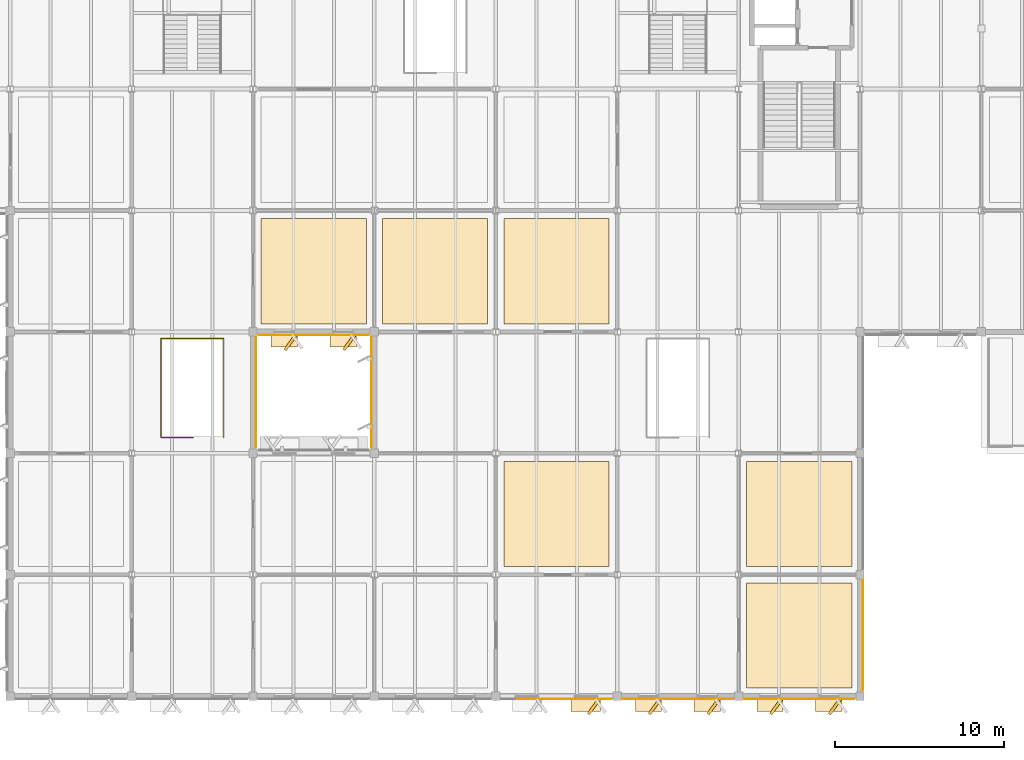
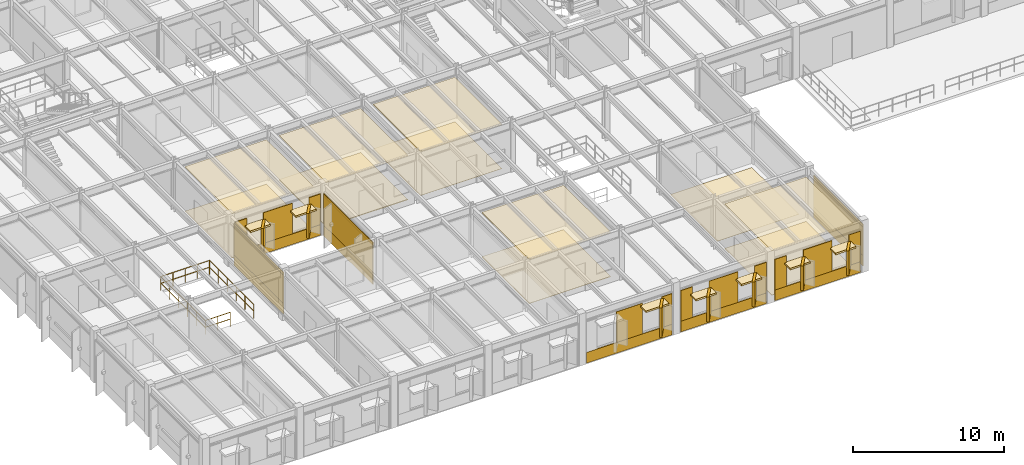
# One storey, part 75 of 85: 49 coverings, 1 railing.
"""IFC4 building model written with IfcOpenShell, lengths in metres."""

import ifcopenshell
import ifcopenshell.guid

model = None  # the IFC model being written
_history = None  # IfcOwnerHistory: only IFC2X3 demands one
_inside = {}  # id of a spatial element -> (the spatial element, [elements in it])
_under = {}  # id of a project, library or spatial element -> (it, [spatial elements below it])
_declared = {}  # id of a project -> (the project, [libraries it declares])
_typed = {}  # id of a type object -> (the type object, [elements of that type])
_made_of = {}  # id of a material, layer set ... -> (it, [elements and type objects made of it])


def new_model(schema):
    """Start an empty IFC model of exactly this schema.

    Asked for "IFC4X3", IfcOpenShell would pick the latest addendum, in which some entities
    have other attributes; the version numbers below select the first issue.
    IFC2X3 requires an IfcOwnerHistory on every rooted entity: one is made here for all.
    """
    global model, _history
    if schema == "IFC4X3":
        model = ifcopenshell.file(schema_version=(4, 3, 0, 0))
    else:
        model = ifcopenshell.file(schema=schema)
    _inside.clear()
    _under.clear()
    _declared.clear()
    _typed.clear()
    _made_of.clear()
    _history = None
    if model.schema == "IFC2X3":
        org = make("IfcOrganization", Name="unknown")
        user = make(
            "IfcPersonAndOrganization",
            ThePerson=make("IfcPerson", FamilyName="unknown"),
            TheOrganization=org,
        )
        app = make(
            "IfcApplication",
            ApplicationDeveloper=org,
            Version="unknown",
            ApplicationFullName="unknown",
            ApplicationIdentifier="unknown",
        )
        _history = make(
            "IfcOwnerHistory",
            OwningUser=user,
            OwningApplication=app,
            ChangeAction="ADDED",
            CreationDate=0,
        )
    return model


def make(cls, **values):
    """One entity of the class cls with the attributes given. An attribute that is None is left unset."""
    return model.create_entity(
        cls, **{name: value for name, value in values.items() if value is not None}
    )


def rooted(cls, **values):
    """An entity with a GlobalId (a new one), such as an element, a storey or a relation."""
    return make(cls, GlobalId=ifcopenshell.guid.new(), OwnerHistory=_history, **values)


def si_unit(unit_type, name, prefix=None):
    """IfcSIUnit, for example si_unit("LENGTHUNIT", "METRE", prefix="MILLI")."""
    return make("IfcSIUnit", UnitType=unit_type, Prefix=prefix, Name=name)


def assignment(units):
    """IfcUnitAssignment: the units of a project."""
    return None if units is None else make("IfcUnitAssignment", Units=units)


def point(xyz):
    """IfcCartesianPoint."""
    return None if xyz is None else make("IfcCartesianPoint", Coordinates=xyz)


def direction(xyz):
    """IfcDirection."""
    return None if xyz is None else make("IfcDirection", DirectionRatios=xyz)


def frame(location, z_axis=None, x_axis=None):
    """IfcAxis2Placement3D, a coordinate frame: its origin and axes. An axis left out is left unset."""
    return make(
        "IfcAxis2Placement3D",
        Location=point(location),
        Axis=direction(z_axis),
        RefDirection=direction(x_axis),
    )


def frame_2d(location, x_axis=None):
    """IfcAxis2Placement2D, a coordinate frame in the plane: its origin and x axis."""
    return make(
        "IfcAxis2Placement2D", Location=point(location), RefDirection=direction(x_axis)
    )


def origin():
    """The frame at (0, 0, 0) with its axes left unset."""
    return frame((0.0, 0.0, 0.0))


def origin_2d():
    """The frame at (0, 0) in the plane with its x axis left unset."""
    return frame_2d((0.0, 0.0))


def place(relative_to, where):
    """IfcLocalPlacement: puts the frame where relative to a parent placement (None: the world)."""
    return make(
        "IfcLocalPlacement", PlacementRelTo=relative_to, RelativePlacement=where
    )


def context(
    kind, dimensions, precision=None, world=None, true_north=None, identifier=None
):
    """IfcGeometricRepresentationContext, for example the 3D "Model" context."""
    return make(
        "IfcGeometricRepresentationContext",
        ContextIdentifier=identifier,
        ContextType=kind,
        CoordinateSpaceDimension=dimensions,
        Precision=precision,
        WorldCoordinateSystem=world,
        TrueNorth=true_north,
    )


def subcontext(parent, identifier, kind, view, scale=None):
    """IfcGeometricRepresentationSubContext, for example "Body" below "Model"."""
    return make(
        "IfcGeometricRepresentationSubContext",
        ContextIdentifier=identifier,
        ContextType=kind,
        ParentContext=parent,
        TargetScale=scale,
        TargetView=view,
    )


def project(units=None, contexts=None):
    """IfcProject with its units and contexts."""
    return rooted(
        "IfcProject",
        Name="project",
        RepresentationContexts=contexts,
        UnitsInContext=assignment(units),
    )


def spatial(cls, under=None, at=None, **own):
    """A site, building, storey or space (cls), placed at a placement, below another one or the project."""
    s = rooted(cls, ObjectPlacement=at, **own)
    if under is not None:
        _under.setdefault(under.id(), (under, []))[1].append(s)
    return s


def polyline(points):
    """IfcPolyline through the points."""
    return make("IfcPolyline", Points=[point(p) for p in points])


def profile(cls, at=None, kind="AREA", **sizes):
    """A parametric profile (cls). Its sizes go by their IFC names, for example OverallWidth=200.0."""
    return make(cls, ProfileType=kind, Position=at, **sizes)


def rectangle(**sizes):
    """IfcRectangleProfileDef."""
    return profile("IfcRectangleProfileDef", **sizes)


def circle(**sizes):
    """IfcCircleProfileDef."""
    return profile("IfcCircleProfileDef", **sizes)


def outline(outer, holes=None, kind="AREA"):
    """IfcArbitraryClosedProfileDef: a profile drawn as a closed curve; with holes, ...WithVoids."""
    if holes is None:
        return make("IfcArbitraryClosedProfileDef", ProfileType=kind, OuterCurve=outer)
    return make(
        "IfcArbitraryProfileDefWithVoids",
        ProfileType=kind,
        OuterCurve=outer,
        InnerCurves=holes,
    )


def extrude(swept, where, along, depth):
    """IfcExtrudedAreaSolid: the profile swept, set in the frame where, extruded along a direction by depth."""
    return make(
        "IfcExtrudedAreaSolid",
        SweptArea=swept,
        Position=where,
        ExtrudedDirection=direction(along),
        Depth=depth,
    )


def shape(context_of_items, identifier, shape_type, items):
    """IfcShapeRepresentation: the items that make up one representation, for example the "Body"."""
    return make(
        "IfcShapeRepresentation",
        ContextOfItems=context_of_items,
        RepresentationIdentifier=identifier,
        RepresentationType=shape_type,
        Items=items,
    )


def material(Name=None, Category=None):
    """IfcMaterial."""
    return make("IfcMaterial", Name=Name, Category=Category)


def layer(
    of_material, thickness, ventilated=None, Name=None, Category=None, Priority=None
):
    """IfcMaterialLayer: one layer of a wall or slab, of a material (None: an air gap)."""
    return make(
        "IfcMaterialLayer",
        Material=of_material,
        LayerThickness=thickness,
        IsVentilated=ventilated,
        Name=Name,
        Category=Category,
        Priority=Priority,
    )


def layer_set(layers, Name=None):
    """IfcMaterialLayerSet."""
    return make("IfcMaterialLayerSet", MaterialLayers=layers, LayerSetName=Name)


def made_of(thing, what):
    """Note that an element or type object is made of a material, layer set ...; save() writes the relation."""
    if what is not None:
        _made_of.setdefault(what.id(), (what, []))[1].append(thing)
    return thing


def type_object(cls, material=None, **own):
    """A type object (cls), such as IfcWallType, which elements share."""
    return made_of(rooted(cls, **own), material)


def element(
    cls,
    number,
    at=None,
    inside=None,
    cuts=None,
    type_object=None,
    material=None,
    context=None,
    identifier="Body",
    shape_type=None,
    held_by="IfcProductDefinitionShape",
    body=None,
    shapes=None,
    **own,
):
    """One element of the class cls, such as IfcWall. Its Tag is "e" and its number.

    at: its placement. inside: the storey or other place that contains it. cuts: it is an
    opening in that element (IfcRelVoidsElement). A single representation is given by context,
    identifier, shape_type and body (its items); several are given by shapes. held_by: the class
    of the entity that holds the representations. save() writes the other relations.
    """
    e = rooted(cls, Tag="e%d" % number, ObjectPlacement=at, **own)
    if body is not None:
        shapes = [shape(context, identifier, shape_type, body)]
    if shapes is not None:
        e.Representation = make(held_by, Representations=shapes)
    if inside is not None:
        _inside.setdefault(inside.id(), (inside, []))[1].append(e)
    if cuts is not None:
        rooted(
            "IfcRelVoidsElement", RelatingBuildingElement=cuts, RelatedOpeningElement=e
        )
    if type_object is not None:
        _typed.setdefault(type_object.id(), (type_object, []))[1].append(e)
    return made_of(e, material)


def aggregate(whole, parts):
    """IfcRelAggregates: a whole, such as a stair, and the parts it consists of."""
    return rooted("IfcRelAggregates", RelatingObject=whole, RelatedObjects=parts)


def save(model, path):
    """Write the relations noted so far, then the file.

    IfcRelAggregates (storeys below a building ...), IfcRelContainedInSpatialStructure (elements
    in a storey), IfcRelDefinesByType, IfcRelAssociatesMaterial and IfcRelDeclares: one each for
    every whole, place, type object, material and project.
    """
    for whole, parts in _under.values():
        aggregate(whole, parts)
    for where, things in _inside.values():
        rooted(
            "IfcRelContainedInSpatialStructure",
            RelatedElements=things,
            RelatingStructure=where,
        )
    for kind, things in _typed.values():
        rooted("IfcRelDefinesByType", RelatedObjects=things, RelatingType=kind)
    for what, things in _made_of.values():
        rooted("IfcRelAssociatesMaterial", RelatedObjects=things, RelatingMaterial=what)
    for by, libraries in _declared.values():
        rooted("IfcRelDeclares", RelatingContext=by, RelatedDefinitions=libraries)
    model.write(path)


model = new_model("IFC4")

# Units and contexts
model_context = context("Model", 3, precision=1e-05, world=origin(), true_north=direction((0.0, 1.0)))
body_context = subcontext(model_context, "Body", "Model", "MODEL_VIEW")
ifc_project = project(units=[si_unit("LENGTHUNIT", "METRE"), si_unit("AREAUNIT", "SQUARE_METRE"), si_unit("VOLUMEUNIT", "CUBIC_METRE"), si_unit("PLANEANGLEUNIT", "RADIAN"), si_unit("MASSUNIT", "GRAM", prefix="KILO")], contexts=[model_context])

# Site, building, storey
site_placement = place(None, origin())
site = spatial("IfcSite", under=ifc_project, at=site_placement, CompositionType="ELEMENT")
building_placement = place(site_placement, origin())
building = spatial("IfcBuilding", under=site, at=building_placement, Name="Sillqori Civic Hall", CompositionType="ELEMENT")
storey_placement = place(building_placement, frame((0.0, 0.0, 9.89990234375)))
storey = spatial("IfcBuildingStorey", under=building, at=storey_placement, Name="L03", CompositionType="ELEMENT", Elevation=9.89990234375)

# Coverings
ifc_material_1 = material(Name="Perforated Metal Coffer Panel 64", Category="aluminium")
ifc_layer_1 = layer(ifc_material_1, 0.06396484375)
ifc_layer_set_1 = layer_set([ifc_layer_1], Name="Perforated Metal Coffer Panel 64")
covering_type_1 = type_object("IfcCoveringType", Name="COV-CEIL-M64", PredefinedType="CEILING", material=ifc_layer_set_1)
covering_1_placement = place(storey_placement, frame((0.0, 0.0, 3.55712890625)))
element("IfcCovering", 1, at=covering_1_placement, inside=storey, type_object=covering_type_1, Name="Citizen Participatory Budgeting Forum Hall L03-14 acoustic ceiling", PredefinedType="CEILING", context=body_context, shape_type="SweptSolid", body=[
    extrude(outline(polyline([(94.080078125, 14.8798828125), (100.320068359375, 14.8798828125), (100.320068359375, 21.1201171875), (94.080078125, 21.1201171875), (94.080078125, 14.8798828125)])), origin(), (0.0, 0.0, 1.0), 0.06396484375),
])
ifc_material_2 = material(Name="Perforated Metal Coffer Panel 70", Category="aluminium")
ifc_layer_2 = layer(ifc_material_2, 0.070068359375)
ifc_layer_set_2 = layer_set([ifc_layer_2], Name="Perforated Metal Coffer Panel 70")
covering_type_2 = type_object("IfcCoveringType", Name="COV-CEIL-M70", PredefinedType="CEILING", material=ifc_layer_set_2)
covering_2_placement = place(storey_placement, frame((0.0, 0.0, 3.551025390625)))
element("IfcCovering", 2, at=covering_2_placement, inside=storey, type_object=covering_type_2, Name="Youth Municipal Council Workshop Studio L03-15 acoustic ceiling", PredefinedType="CEILING", context=body_context, shape_type="SweptSolid", body=[
    extrude(outline(polyline([(94.080078125, 29.280029296875), (100.320068359375, 29.280029296875), (100.320068359375, 35.52001953125), (94.080078125, 35.52001953125), (94.080078125, 29.280029296875)])), origin(), (0.0, 0.0, 1.0), 0.070068359375),
])
ifc_material_3 = material(Name="Micro-Perforated Aluminium Plank Ceiling", Category="aluminium")
ifc_layer_3 = layer(ifc_material_3, 0.035888671875)
ifc_layer_set_3 = layer_set([ifc_layer_3], Name="Micro-Perforated Aluminium Plank Ceiling")
covering_type_3 = type_object("IfcCoveringType", Name="COV-CEIL-MET", PredefinedType="CEILING", material=ifc_layer_set_3)
covering_3_placement = place(storey_placement, frame((0.0, 0.0, 3.585205078125)))
element("IfcCovering", 3, at=covering_3_placement, inside=storey, type_object=covering_type_3, Name="Public Digital Services Lab L03-08 acoustic ceiling", PredefinedType="CEILING", context=body_context, shape_type="SweptSolid", body=[
    extrude(outline(polyline([(79.679931640625, 29.280029296875), (85.919921875, 29.280029296875), (85.919921875, 35.52001953125), (79.679931640625, 35.52001953125), (79.679931640625, 29.280029296875)])), origin(), (0.0, 0.0, 1.0), 0.035888671875),
])
ifc_material_4 = material(Name="Mineral-Fibre High-NRC Tile Ceiling", Category="gypsum")
ifc_layer_4 = layer(ifc_material_4, 0.02392578125)
ifc_layer_set_4 = layer_set([ifc_layer_4], Name="Mineral-Fibre High-NRC Tile Ceiling")
covering_type_4 = type_object("IfcCoveringType", Name="COV-CEIL-MIN", PredefinedType="CEILING", material=ifc_layer_set_4)
covering_4_placement = place(storey_placement, frame((0.0, 0.0, 3.59716796875)))
element("IfcCovering", 4, at=covering_4_placement, inside=storey, type_object=covering_type_4, Name="Civic Heritage Exhibition Gallery L03-17 acoustic ceiling", PredefinedType="CEILING", context=body_context, shape_type="SweptSolid", body=[
    extrude(outline(polyline([(108.47998046875, 7.679931640625), (114.719970703125, 7.679931640625), (114.719970703125, 13.919921875), (108.47998046875, 13.919921875), (108.47998046875, 7.679931640625)])), origin(), (0.0, 0.0, 1.0), 0.02392578125),
])
ifc_material_5 = material(Name="Andean Cedar Slatted Baffle 52", Category="timber")
ifc_layer_5 = layer(ifc_material_5, 0.052001953125)
ifc_layer_set_5 = layer_set([ifc_layer_5], Name="Andean Cedar Slatted Baffle 52")
covering_type_5 = type_object("IfcCoveringType", Name="COV-CEIL-T52", PredefinedType="CEILING", material=ifc_layer_set_5)
covering_5_placement = place(storey_placement, frame((0.0, 0.0, 3.569091796875)))
element("IfcCovering", 5, at=covering_5_placement, inside=storey, type_object=covering_type_5, Name="Public Digital Services Lab L03-12 acoustic ceiling", PredefinedType="CEILING", context=body_context, shape_type="SweptSolid", body=[
    extrude(outline(polyline([(86.8798828125, 29.280029296875), (93.1201171875, 29.280029296875), (93.1201171875, 35.52001953125), (86.8798828125, 35.52001953125), (86.8798828125, 29.280029296875)])), origin(), (0.0, 0.0, 1.0), 0.052001953125),
])
ifc_material_6 = material(Name="Cochabamba Honed Limestone Cladding", Category="masonry")
ifc_layer_6 = layer(ifc_material_6, 0.044921875)
ifc_layer_set_6 = layer_set([ifc_layer_6], Name="Cochabamba Honed Limestone Cladding")
covering_type_6 = type_object("IfcCoveringType", Name="COV-CLAD-LIME", PredefinedType="CLADDING", material=ifc_layer_set_6)
covering_6_placement = place(storey_placement, frame((79.3798828125, 28.469970703125, 0.0400390625), z_axis=(0.0, 0.0, 1.0), x_axis=(0.0, -1.0, 0.0)))
element("IfcCovering", 6, at=covering_6_placement, inside=storey, type_object=covering_type_6, Name="L03 limestone spandrel cladding L03-10-03-E", PredefinedType="CLADDING", context=body_context, shape_type="SweptSolid", body=[
    extrude(rectangle(XDim=6.5400390625, YDim=0.044921875, at=frame_2d((3.27001953125, 0.0))), origin(), (0.0, 0.0, 1.0), 0.860107421875),
])
covering_7_placement = place(storey_placement, frame((79.3798828125, 28.469970703125, 3.22021484375), z_axis=(0.0, 0.0, 1.0), x_axis=(0.0, -1.0, 0.0)))
element("IfcCovering", 7, at=covering_7_placement, inside=storey, type_object=covering_type_6, Name="L03 limestone frieze cladding L03-10-03-E", PredefinedType="CLADDING", context=body_context, shape_type="SweptSolid", body=[
    extrude(rectangle(XDim=6.5400390625, YDim=0.044921875, at=frame_2d((3.27001953125, 0.0))), origin(), (0.0, 0.0, 1.0), 0.226806640625),
])
covering_8_placement = place(storey_placement, frame((79.3798828125, 28.469970703125, 0.900146484375), z_axis=(0.0, 0.0, 1.0), x_axis=(0.0, -1.0, 0.0)))
element("IfcCovering", 8, at=covering_8_placement, inside=storey, type_object=covering_type_6, Name="L03 Wedge Hall limestone pier cladding L03-10-03-E.1", PredefinedType="CLADDING", context=body_context, shape_type="SweptSolid", body=[
    extrude(rectangle(XDim=6.5400390625, YDim=0.044921875, at=frame_2d((3.27001953125, 0.0))), origin(), (0.0, 0.0, 1.0), 2.546875),
])
covering_9_placement = place(storey_placement, frame((86.070068359375, 28.6201171875, 0.0400390625), z_axis=(0.0, 0.0, 1.0), x_axis=(-1.0, 0.0, 0.0)))
element("IfcCovering", 9, at=covering_9_placement, inside=storey, type_object=covering_type_6, Name="L03 limestone spandrel cladding L03-11-04-S", PredefinedType="CLADDING", context=body_context, shape_type="SweptSolid", body=[
    extrude(rectangle(XDim=6.5400390625, YDim=0.044921875, at=frame_2d((3.27001953125, 0.0))), origin(), (0.0, 0.0, 1.0), 0.860107421875),
])
covering_10_placement = place(storey_placement, frame((86.070068359375, 28.6201171875, 0.900146484375), z_axis=(0.0, 0.0, 1.0), x_axis=(-1.0, 0.0, 0.0)))
element("IfcCovering", 10, at=covering_10_placement, inside=storey, type_object=covering_type_6, Name="L03 Wedge Hall limestone pier cladding L03-11-04-S.1", PredefinedType="CLADDING", context=body_context, shape_type="SweptSolid", body=[
    extrude(rectangle(XDim=0.88818359375, YDim=0.044921875, at=frame_2d((0.444091796875, 0.0))), origin(), (0.0, 0.0, 1.0), 2.47802734375),
])
covering_11_placement = place(storey_placement, frame((83.902099609375, 28.6201171875, 0.900146484375), z_axis=(0.0, 0.0, 1.0), x_axis=(-1.0, 0.0, 0.0)))
element("IfcCovering", 11, at=covering_11_placement, inside=storey, type_object=covering_type_6, Name="L03 Wedge Hall limestone pier cladding L03-11-04-S.2", PredefinedType="CLADDING", context=body_context, shape_type="SweptSolid", body=[
    extrude(rectangle(XDim=2.2041015625, YDim=0.044921875, at=frame_2d((1.10205078125, 0.0))), origin(), (0.0, 0.0, 1.0), 2.47802734375),
])
covering_12_placement = place(storey_placement, frame((80.41796875, 28.6201171875, 0.900146484375), z_axis=(0.0, 0.0, 1.0), x_axis=(-1.0, 0.0, 0.0)))
element("IfcCovering", 12, at=covering_12_placement, inside=storey, type_object=covering_type_6, Name="L03 Wedge Hall limestone pier cladding L03-11-04-S.3", PredefinedType="CLADDING", context=body_context, shape_type="SweptSolid", body=[
    extrude(rectangle(XDim=0.887939453125, YDim=0.044921875, at=frame_2d((0.44384765625, 0.0))), origin(), (0.0, 0.0, 1.0), 2.47802734375),
])
covering_13_placement = place(storey_placement, frame((85.261962890625, 28.659912109375, 0.830078125), z_axis=(0.0, 0.0, 1.0), x_axis=(-0.587805596445, -0.809002213092, 0.0)))
element("IfcCovering", 13, at=covering_13_placement, inside=storey, type_object=covering_type_6, Name="Sawtooth limestone angled reveal cheek L03-11-04-S.1", PredefinedType="CLADDING", context=body_context, shape_type="SweptSolid", body=[
    extrude(rectangle(XDim=1.150146484375, YDim=0.179931640625, at=frame_2d((0.5751953125, 0.0))), origin(), (0.0, 0.0, 1.0), 2.0),
])
covering_14_placement = place(storey_placement, frame((85.322021484375, 28.280029296875, 2.690185546875), z_axis=(0.0, 0.0, 1.0), x_axis=(-1.0, 0.0, 0.0)))
element("IfcCovering", 14, at=covering_14_placement, inside=storey, type_object=covering_type_6, Name="Sawtooth limestone window hood L03-11-04-S.1", PredefinedType="CLADDING", context=body_context, shape_type="SweptSolid", body=[
    extrude(rectangle(XDim=1.56005859375, YDim=0.780029296875, at=frame_2d((0.780029296875, 0.0))), origin(), (0.0, 0.0, 1.0), 0.139892578125),
])
covering_15_placement = place(storey_placement, frame((81.778076171875, 28.659912109375, 0.830078125), z_axis=(0.0, 0.0, 1.0), x_axis=(-0.587805596445, -0.809002213092, 0.0)))
element("IfcCovering", 15, at=covering_15_placement, inside=storey, type_object=covering_type_6, Name="Sawtooth limestone angled reveal cheek L03-11-04-S.2", PredefinedType="CLADDING", context=body_context, shape_type="SweptSolid", body=[
    extrude(rectangle(XDim=1.150146484375, YDim=0.179931640625, at=frame_2d((0.5751953125, 0.0))), origin(), (0.0, 0.0, 1.0), 2.0),
])
covering_16_placement = place(storey_placement, frame((81.837890625, 28.280029296875, 2.690185546875), z_axis=(0.0, 0.0, 1.0), x_axis=(-1.0, 0.0, 0.0)))
element("IfcCovering", 16, at=covering_16_placement, inside=storey, type_object=covering_type_6, Name="Sawtooth limestone window hood L03-11-04-S.2", PredefinedType="CLADDING", context=body_context, shape_type="SweptSolid", body=[
    extrude(rectangle(XDim=1.559814453125, YDim=0.780029296875, at=frame_2d((0.77978515625, 0.0))), origin(), (0.0, 0.0, 1.0), 0.139892578125),
])
covering_17_placement = place(storey_placement, frame((86.219970703125, 21.929931640625, 0.0400390625), z_axis=(0.0, 0.0, 1.0), x_axis=(0.0, 1.0, 0.0)))
element("IfcCovering", 17, at=covering_17_placement, inside=storey, type_object=covering_type_6, Name="L03 limestone spandrel cladding L03-12-03-W", PredefinedType="CLADDING", context=body_context, shape_type="SweptSolid", body=[
    extrude(rectangle(XDim=6.5400390625, YDim=0.044921875, at=frame_2d((3.27001953125, 0.0))), origin(), (0.0, 0.0, 1.0), 0.860107421875),
])
covering_18_placement = place(storey_placement, frame((86.219970703125, 21.929931640625, 3.22021484375), z_axis=(0.0, 0.0, 1.0), x_axis=(0.0, 1.0, 0.0)))
element("IfcCovering", 18, at=covering_18_placement, inside=storey, type_object=covering_type_6, Name="L03 limestone frieze cladding L03-12-03-W", PredefinedType="CLADDING", context=body_context, shape_type="SweptSolid", body=[
    extrude(rectangle(XDim=6.5400390625, YDim=0.044921875, at=frame_2d((3.27001953125, 0.0))), origin(), (0.0, 0.0, 1.0), 0.226806640625),
])
covering_19_placement = place(storey_placement, frame((86.219970703125, 21.929931640625, 0.900146484375), z_axis=(0.0, 0.0, 1.0), x_axis=(0.0, 1.0, 0.0)))
element("IfcCovering", 19, at=covering_19_placement, inside=storey, type_object=covering_type_6, Name="L03 Wedge Hall limestone pier cladding L03-12-03-W.1", PredefinedType="CLADDING", context=body_context, shape_type="SweptSolid", body=[
    extrude(rectangle(XDim=6.5400390625, YDim=0.044921875, at=frame_2d((3.27001953125, 0.0))), origin(), (0.0, 0.0, 1.0), 2.546875),
])
covering_20_placement = place(storey_placement, frame((100.469970703125, 7.02001953125, 0.0400390625), z_axis=(0.0, 0.0, 1.0), x_axis=(-1.0, 0.0, 0.0)))
element("IfcCovering", 20, at=covering_20_placement, inside=storey, type_object=covering_type_6, Name="L03 limestone spandrel cladding L03-13-01-S", PredefinedType="CLADDING", context=body_context, shape_type="SweptSolid", body=[
    extrude(rectangle(XDim=6.5400390625, YDim=0.044921875, at=frame_2d((3.27001953125, 0.0))), origin(), (0.0, 0.0, 1.0), 0.860107421875),
])
covering_21_placement = place(storey_placement, frame((100.469970703125, 7.02001953125, 0.900146484375), z_axis=(0.0, 0.0, 1.0), x_axis=(-1.0, 0.0, 0.0)))
element("IfcCovering", 21, at=covering_21_placement, inside=storey, type_object=covering_type_6, Name="L03 Wedge Hall limestone pier cladding L03-13-01-S.1", PredefinedType="CLADDING", context=body_context, shape_type="SweptSolid", body=[
    extrude(rectangle(XDim=0.7880859375, YDim=0.044921875, at=frame_2d((0.39404296875, 0.0))), origin(), (0.0, 0.0, 1.0), 2.47802734375),
])
covering_22_placement = place(storey_placement, frame((98.201904296875, 7.02001953125, 0.900146484375), z_axis=(0.0, 0.0, 1.0), x_axis=(-1.0, 0.0, 0.0)))
element("IfcCovering", 22, at=covering_22_placement, inside=storey, type_object=covering_type_6, Name="L03 Wedge Hall limestone pier cladding L03-13-01-S.2", PredefinedType="CLADDING", context=body_context, shape_type="SweptSolid", body=[
    extrude(rectangle(XDim=2.00390625, YDim=0.044921875, at=frame_2d((1.001953125, 0.0))), origin(), (0.0, 0.0, 1.0), 2.47802734375),
])
covering_23_placement = place(storey_placement, frame((99.761962890625, 7.06005859375, 0.830078125), z_axis=(0.0, 0.0, 1.0), x_axis=(-0.587805596445, -0.809002213092, 0.0)))
element("IfcCovering", 23, at=covering_23_placement, inside=storey, type_object=covering_type_6, Name="Sawtooth limestone angled reveal cheek L03-13-01-S.1", PredefinedType="CLADDING", context=body_context, shape_type="SweptSolid", body=[
    extrude(rectangle(XDim=1.150146484375, YDim=0.179931640625, at=frame_2d((0.5751953125, 0.0))), origin(), (0.0, 0.0, 1.0), 2.39990234375),
])
covering_24_placement = place(storey_placement, frame((99.822021484375, 6.679931640625, 3.090087890625), z_axis=(0.0, 0.0, 1.0), x_axis=(-1.0, 0.0, 0.0)))
element("IfcCovering", 24, at=covering_24_placement, inside=storey, type_object=covering_type_6, Name="Sawtooth limestone window hood L03-13-01-S.1", PredefinedType="CLADDING", context=body_context, shape_type="SweptSolid", body=[
    extrude(rectangle(XDim=1.760009765625, YDim=0.780029296875, at=frame_2d((0.8798828125, 0.0))), origin(), (0.0, 0.0, 1.0), 0.139892578125),
])
covering_25_placement = place(storey_placement, frame((107.669921875, 7.02001953125, 0.0400390625), z_axis=(0.0, 0.0, 1.0), x_axis=(-1.0, 0.0, 0.0)))
element("IfcCovering", 25, at=covering_25_placement, inside=storey, type_object=covering_type_6, Name="L03 limestone spandrel cladding L03-14-01-S", PredefinedType="CLADDING", context=body_context, shape_type="SweptSolid", body=[
    extrude(rectangle(XDim=6.5400390625, YDim=0.044921875, at=frame_2d((3.27001953125, 0.0))), origin(), (0.0, 0.0, 1.0), 0.860107421875),
])
covering_26_placement = place(storey_placement, frame((107.669921875, 7.02001953125, 0.900146484375), z_axis=(0.0, 0.0, 1.0), x_axis=(-1.0, 0.0, 0.0)))
element("IfcCovering", 26, at=covering_26_placement, inside=storey, type_object=covering_type_6, Name="L03 Wedge Hall limestone pier cladding L03-14-01-S.1", PredefinedType="CLADDING", context=body_context, shape_type="SweptSolid", body=[
    extrude(rectangle(XDim=0.887939453125, YDim=0.044921875, at=frame_2d((0.44384765625, 0.0))), origin(), (0.0, 0.0, 1.0), 2.47802734375),
])
covering_27_placement = place(storey_placement, frame((105.501953125, 7.02001953125, 0.900146484375), z_axis=(0.0, 0.0, 1.0), x_axis=(-1.0, 0.0, 0.0)))
element("IfcCovering", 27, at=covering_27_placement, inside=storey, type_object=covering_type_6, Name="L03 Wedge Hall limestone pier cladding L03-14-01-S.2", PredefinedType="CLADDING", context=body_context, shape_type="SweptSolid", body=[
    extrude(rectangle(XDim=2.203857421875, YDim=0.044921875, at=frame_2d((1.10205078125, 0.0))), origin(), (0.0, 0.0, 1.0), 2.47802734375),
])
covering_28_placement = place(storey_placement, frame((102.01806640625, 7.02001953125, 0.900146484375), z_axis=(0.0, 0.0, 1.0), x_axis=(-1.0, 0.0, 0.0)))
element("IfcCovering", 28, at=covering_28_placement, inside=storey, type_object=covering_type_6, Name="L03 Wedge Hall limestone pier cladding L03-14-01-S.3", PredefinedType="CLADDING", context=body_context, shape_type="SweptSolid", body=[
    extrude(rectangle(XDim=0.88818359375, YDim=0.044921875, at=frame_2d((0.444091796875, 0.0))), origin(), (0.0, 0.0, 1.0), 2.47802734375),
])
covering_29_placement = place(storey_placement, frame((106.862060546875, 7.06005859375, 0.830078125), z_axis=(0.0, 0.0, 1.0), x_axis=(-0.587805596445, -0.809002213092, 0.0)))
element("IfcCovering", 29, at=covering_29_placement, inside=storey, type_object=covering_type_6, Name="Sawtooth limestone angled reveal cheek L03-14-01-S.1", PredefinedType="CLADDING", context=body_context, shape_type="SweptSolid", body=[
    extrude(rectangle(XDim=1.150146484375, YDim=0.179931640625, at=frame_2d((0.5751953125, 0.0))), origin(), (0.0, 0.0, 1.0), 2.0),
])
covering_30_placement = place(storey_placement, frame((106.922119140625, 6.679931640625, 2.690185546875), z_axis=(0.0, 0.0, 1.0), x_axis=(-1.0, 0.0, 0.0)))
element("IfcCovering", 30, at=covering_30_placement, inside=storey, type_object=covering_type_6, Name="Sawtooth limestone window hood L03-14-01-S.1", PredefinedType="CLADDING", context=body_context, shape_type="SweptSolid", body=[
    extrude(rectangle(XDim=1.56005859375, YDim=0.780029296875, at=frame_2d((0.780029296875, 0.0))), origin(), (0.0, 0.0, 1.0), 0.139892578125),
])
covering_31_placement = place(storey_placement, frame((103.3779296875, 7.06005859375, 0.830078125), z_axis=(0.0, 0.0, 1.0), x_axis=(-0.587805596445, -0.809002213092, 0.0)))
element("IfcCovering", 31, at=covering_31_placement, inside=storey, type_object=covering_type_6, Name="Sawtooth limestone angled reveal cheek L03-14-01-S.2", PredefinedType="CLADDING", context=body_context, shape_type="SweptSolid", body=[
    extrude(rectangle(XDim=1.150146484375, YDim=0.179931640625, at=frame_2d((0.5751953125, 0.0))), origin(), (0.0, 0.0, 1.0), 2.0),
])
covering_32_placement = place(storey_placement, frame((103.43798828125, 6.679931640625, 2.690185546875), z_axis=(0.0, 0.0, 1.0), x_axis=(-1.0, 0.0, 0.0)))
element("IfcCovering", 32, at=covering_32_placement, inside=storey, type_object=covering_type_6, Name="Sawtooth limestone window hood L03-14-01-S.2", PredefinedType="CLADDING", context=body_context, shape_type="SweptSolid", body=[
    extrude(rectangle(XDim=1.56005859375, YDim=0.780029296875, at=frame_2d((0.780029296875, 0.0))), origin(), (0.0, 0.0, 1.0), 0.139892578125),
])
covering_33_placement = place(storey_placement, frame((114.8701171875, 7.02001953125, 0.0400390625), z_axis=(0.0, 0.0, 1.0), x_axis=(-1.0, 0.0, 0.0)))
element("IfcCovering", 33, at=covering_33_placement, inside=storey, type_object=covering_type_6, Name="L03 limestone spandrel cladding L03-15-01-S", PredefinedType="CLADDING", context=body_context, shape_type="SweptSolid", body=[
    extrude(rectangle(XDim=6.5400390625, YDim=0.044921875, at=frame_2d((3.27001953125, 0.0))), origin(), (0.0, 0.0, 1.0), 0.860107421875),
])
covering_34_placement = place(storey_placement, frame((114.8701171875, 7.02001953125, 0.900146484375), z_axis=(0.0, 0.0, 1.0), x_axis=(-1.0, 0.0, 0.0)))
element("IfcCovering", 34, at=covering_34_placement, inside=storey, type_object=covering_type_6, Name="L03 Wedge Hall limestone pier cladding L03-15-01-S.1", PredefinedType="CLADDING", context=body_context, shape_type="SweptSolid", body=[
    extrude(rectangle(XDim=0.88818359375, YDim=0.044921875, at=frame_2d((0.444091796875, 0.0))), origin(), (0.0, 0.0, 1.0), 2.47802734375),
])
covering_35_placement = place(storey_placement, frame((112.701904296875, 7.02001953125, 0.900146484375), z_axis=(0.0, 0.0, 1.0), x_axis=(-1.0, 0.0, 0.0)))
element("IfcCovering", 35, at=covering_35_placement, inside=storey, type_object=covering_type_6, Name="L03 Wedge Hall limestone pier cladding L03-15-01-S.2", PredefinedType="CLADDING", context=body_context, shape_type="SweptSolid", body=[
    extrude(rectangle(XDim=2.203857421875, YDim=0.044921875, at=frame_2d((1.10205078125, 0.0))), origin(), (0.0, 0.0, 1.0), 2.47802734375),
])
covering_36_placement = place(storey_placement, frame((109.218017578125, 7.02001953125, 0.900146484375), z_axis=(0.0, 0.0, 1.0), x_axis=(-1.0, 0.0, 0.0)))
element("IfcCovering", 36, at=covering_36_placement, inside=storey, type_object=covering_type_6, Name="L03 Wedge Hall limestone pier cladding L03-15-01-S.3", PredefinedType="CLADDING", context=body_context, shape_type="SweptSolid", body=[
    extrude(rectangle(XDim=0.887939453125, YDim=0.044921875, at=frame_2d((0.44384765625, 0.0))), origin(), (0.0, 0.0, 1.0), 2.47802734375),
])
covering_37_placement = place(storey_placement, frame((114.06201171875, 7.06005859375, 0.830078125), z_axis=(0.0, 0.0, 1.0), x_axis=(-0.587805596445, -0.809002213092, 0.0)))
element("IfcCovering", 37, at=covering_37_placement, inside=storey, type_object=covering_type_6, Name="Sawtooth limestone angled reveal cheek L03-15-01-S.1", PredefinedType="CLADDING", context=body_context, shape_type="SweptSolid", body=[
    extrude(rectangle(XDim=1.150146484375, YDim=0.179931640625, at=frame_2d((0.5751953125, 0.0))), origin(), (0.0, 0.0, 1.0), 2.0),
])
covering_38_placement = place(storey_placement, frame((114.1220703125, 6.679931640625, 2.690185546875), z_axis=(0.0, 0.0, 1.0), x_axis=(-1.0, 0.0, 0.0)))
element("IfcCovering", 38, at=covering_38_placement, inside=storey, type_object=covering_type_6, Name="Sawtooth limestone window hood L03-15-01-S.1", PredefinedType="CLADDING", context=body_context, shape_type="SweptSolid", body=[
    extrude(rectangle(XDim=1.56005859375, YDim=0.780029296875, at=frame_2d((0.780029296875, 0.0))), origin(), (0.0, 0.0, 1.0), 0.139892578125),
])
covering_39_placement = place(storey_placement, frame((110.577880859375, 7.06005859375, 0.830078125), z_axis=(0.0, 0.0, 1.0), x_axis=(-0.587666635914, -0.809103160934, 0.0)))
element("IfcCovering", 39, at=covering_39_placement, inside=storey, type_object=covering_type_6, Name="Sawtooth limestone angled reveal cheek L03-15-01-S.2", PredefinedType="CLADDING", context=body_context, shape_type="SweptSolid", body=[
    extrude(rectangle(XDim=1.14990234375, YDim=0.179931640625, at=frame_2d((0.574951171875, 0.0))), origin(), (0.0, 0.0, 1.0), 2.0),
])
covering_40_placement = place(storey_placement, frame((110.637939453125, 6.679931640625, 2.690185546875), z_axis=(0.0, 0.0, 1.0), x_axis=(-1.0, 0.0, 0.0)))
element("IfcCovering", 40, at=covering_40_placement, inside=storey, type_object=covering_type_6, Name="Sawtooth limestone window hood L03-15-01-S.2", PredefinedType="CLADDING", context=body_context, shape_type="SweptSolid", body=[
    extrude(rectangle(XDim=1.56005859375, YDim=0.780029296875, at=frame_2d((0.780029296875, 0.0))), origin(), (0.0, 0.0, 1.0), 0.139892578125),
])
covering_41_placement = place(storey_placement, frame((115.3798828125, 14.070068359375, 0.0400390625), z_axis=(0.0, 0.0, 1.0), x_axis=(0.0, -1.0, 0.0)))
element("IfcCovering", 41, at=covering_41_placement, inside=storey, type_object=covering_type_6, Name="L03 limestone spandrel cladding L03-15-01-E", PredefinedType="CLADDING", context=body_context, shape_type="SweptSolid", body=[
    extrude(rectangle(XDim=6.5400390625, YDim=0.044921875, at=frame_2d((3.27001953125, 0.0))), origin(), (0.0, 0.0, 1.0), 0.860107421875),
])
covering_42_placement = place(storey_placement, frame((115.3798828125, 14.070068359375, 3.22021484375), z_axis=(0.0, 0.0, 1.0), x_axis=(0.0, -1.0, 0.0)))
element("IfcCovering", 42, at=covering_42_placement, inside=storey, type_object=covering_type_6, Name="L03 limestone frieze cladding L03-15-01-E", PredefinedType="CLADDING", context=body_context, shape_type="SweptSolid", body=[
    extrude(rectangle(XDim=6.5400390625, YDim=0.044921875, at=frame_2d((3.27001953125, 0.0))), origin(), (0.0, 0.0, 1.0), 0.226806640625),
])
covering_43_placement = place(storey_placement, frame((115.3798828125, 14.070068359375, 0.900146484375), z_axis=(0.0, 0.0, 1.0), x_axis=(0.0, -1.0, 0.0)))
element("IfcCovering", 43, at=covering_43_placement, inside=storey, type_object=covering_type_6, Name="L03 Wedge Hall limestone pier cladding L03-15-01-E.1", PredefinedType="CLADDING", context=body_context, shape_type="SweptSolid", body=[
    extrude(rectangle(XDim=6.5400390625, YDim=0.044921875, at=frame_2d((3.27001953125, 0.0))), origin(), (0.0, 0.0, 1.0), 2.546875),
])
ifc_material_7 = material(Name="Dust-Sealed Heavy-Duty Archive Epoxy", Category="resin")
ifc_layer_7 = layer(ifc_material_7, 0.014892578125)
ifc_layer_set_7 = layer_set([ifc_layer_7], Name="Dust-Sealed Heavy-Duty Archive Epoxy")
covering_type_7 = type_object("IfcCoveringType", Name="COV-FLR-EPX", PredefinedType="FLOORING", material=ifc_layer_set_7)
covering_44_placement = place(storey_placement, origin())
element("IfcCovering", 44, at=covering_44_placement, inside=storey, type_object=covering_type_7, Name="Public Digital Services Lab L03-08 floor finish", PredefinedType="FLOORING", context=body_context, shape_type="SweptSolid", body=[
    extrude(outline(polyline([(79.679931640625, 29.280029296875), (85.919921875, 29.280029296875), (85.919921875, 35.52001953125), (79.679931640625, 35.52001953125), (79.679931640625, 29.280029296875)])), origin(), (0.0, 0.0, 1.0), 0.01513671875),
])
covering_45_placement = place(storey_placement, origin())
element("IfcCovering", 45, at=covering_45_placement, inside=storey, type_object=covering_type_7, Name="Citizen Participatory Budgeting Forum Hall L03-18 floor finish", PredefinedType="FLOORING", context=body_context, shape_type="SweptSolid", body=[
    extrude(outline(polyline([(108.47998046875, 14.8798828125), (114.719970703125, 14.8798828125), (114.719970703125, 21.1201171875), (108.47998046875, 21.1201171875), (108.47998046875, 14.8798828125)])), origin(), (0.0, 0.0, 1.0), 0.01513671875),
])
ifc_material_8 = material(Name="Vitrified Porcelain Tile 18", Category="ceramic")
ifc_layer_8 = layer(ifc_material_8, 0.01806640625)
ifc_layer_set_8 = layer_set([ifc_layer_8], Name="Vitrified Porcelain Tile 18")
covering_type_8 = type_object("IfcCoveringType", Name="COV-FLR-P18", PredefinedType="FLOORING", material=ifc_layer_set_8)
covering_46_placement = place(storey_placement, origin())
element("IfcCovering", 46, at=covering_46_placement, inside=storey, type_object=covering_type_8, Name="Youth Municipal Council Workshop Studio L03-15 floor finish", PredefinedType="FLOORING", context=body_context, shape_type="SweptSolid", body=[
    extrude(outline(polyline([(94.080078125, 29.280029296875), (100.320068359375, 29.280029296875), (100.320068359375, 35.52001953125), (94.080078125, 35.52001953125), (94.080078125, 29.280029296875)])), origin(), (0.0, 0.0, 1.0), 0.01806640625),
])
ifc_material_9 = material(Name="Slip-Resistant R11 Porcelain Tile", Category="ceramic")
ifc_layer_9 = layer(ifc_material_9, 0.02001953125)
ifc_layer_set_9 = layer_set([ifc_layer_9], Name="Slip-Resistant R11 Porcelain Tile")
covering_type_9 = type_object("IfcCoveringType", Name="COV-FLR-POR", PredefinedType="FLOORING", material=ifc_layer_set_9)
covering_47_placement = place(storey_placement, origin())
element("IfcCovering", 47, at=covering_47_placement, inside=storey, type_object=covering_type_9, Name="Civic Heritage Exhibition Gallery L03-17 floor finish", PredefinedType="FLOORING", context=body_context, shape_type="SweptSolid", body=[
    extrude(outline(polyline([(108.47998046875, 7.679931640625), (114.719970703125, 7.679931640625), (114.719970703125, 13.919921875), (108.47998046875, 13.919921875), (108.47998046875, 7.679931640625)])), origin(), (0.0, 0.0, 1.0), 0.02001953125),
])
ifc_material_10 = material(Name="Heavy Hall Basalt Terrazzo 56", Category="masonry")
ifc_layer_10 = layer(ifc_material_10, 0.055908203125)
ifc_layer_set_10 = layer_set([ifc_layer_10], Name="Heavy Hall Basalt Terrazzo 56")
covering_type_10 = type_object("IfcCoveringType", Name="COV-FLR-S56", PredefinedType="FLOORING", material=ifc_layer_set_10)
covering_48_placement = place(storey_placement, origin())
element("IfcCovering", 48, at=covering_48_placement, inside=storey, type_object=covering_type_10, Name="Public Digital Services Lab L03-12 floor finish", PredefinedType="FLOORING", context=body_context, shape_type="SweptSolid", body=[
    extrude(outline(polyline([(86.8798828125, 29.280029296875), (93.1201171875, 29.280029296875), (93.1201171875, 35.52001953125), (86.8798828125, 35.52001953125), (86.8798828125, 29.280029296875)])), origin(), (0.0, 0.0, 1.0), 0.05615234375),
])
ifc_material_11 = material(Name="Acoustic Sprung Timber Flooring 30", Category="wood")
ifc_layer_11 = layer(ifc_material_11, 0.030029296875)
ifc_layer_set_11 = layer_set([ifc_layer_11], Name="Acoustic Sprung Timber Flooring 30")
covering_type_11 = type_object("IfcCoveringType", Name="COV-FLR-T30", PredefinedType="FLOORING", material=ifc_layer_set_11)
covering_49_placement = place(storey_placement, origin())
element("IfcCovering", 49, at=covering_49_placement, inside=storey, type_object=covering_type_11, Name="Citizen Participatory Budgeting Forum Hall L03-14 floor finish", PredefinedType="FLOORING", context=body_context, shape_type="SweptSolid", body=[
    extrude(outline(polyline([(94.080078125, 14.8798828125), (100.320068359375, 14.8798828125), (100.320068359375, 21.1201171875), (94.080078125, 21.1201171875), (94.080078125, 14.8798828125)])), origin(), (0.0, 0.0, 1.0), 0.030029296875),
])

# Railing
ifc_material_12 = material(Name="Architectural Bronze and Tempered Glass Balustrade", Category="glass")
ifc_layer_12 = layer(ifc_material_12, 0.080078125)
ifc_layer_set_12 = layer_set([ifc_layer_12], Name="Architectural Bronze and Tempered Glass Balustrade")
railing_type = type_object("IfcRailingType", Name="RLG-BALU-115", PredefinedType="BALUSTRADE", material=ifc_layer_set_12)
railing_placement = place(storey_placement, frame((75.659912109375, 22.5400390625, 0.0)))
element("IfcRailing", 50, at=railing_placement, inside=storey, type_object=railing_type, Name="Wedge Atrium West Gallery Stair L02-L03 upper atrium well balustrade", PredefinedType="BALUSTRADE", context=body_context, shape_type="SweptSolid", body=[
    extrude(circle(Radius=0.02392578125, at=origin_2d()), frame((0.0, 0.0, 1.1259765625), z_axis=(-1.0, 0.0, 0.0), x_axis=(0.0, -1.0, 0.0)), (0.0, 0.0, 1.0), 1.919921875),
    extrude(circle(Radius=0.02392578125, at=origin_2d()), frame((0.0, 0.0, 0.574951171875), z_axis=(-1.0, 0.0, 0.0), x_axis=(0.0, -1.0, 0.0)), (0.0, 0.0, 1.0), 1.919921875),
    extrude(circle(Radius=0.02392578125, at=origin_2d()), frame((-1.919921875, 0.0, 1.1259765625), z_axis=(0.0, 1.0, 0.0), x_axis=(-1.0, 0.0, 0.0)), (0.0, 0.0, 1.0), 5.869873046875),
    extrude(circle(Radius=0.02392578125, at=origin_2d()), frame((-1.919921875, 0.0, 0.574951171875), z_axis=(0.0, 1.0, 0.0), x_axis=(-1.0, 0.0, 0.0)), (0.0, 0.0, 1.0), 5.869873046875),
    extrude(circle(Radius=0.02392578125, at=origin_2d()), frame((-1.919921875, 5.869873046875, 1.1259765625), z_axis=(1.0, 0.0, 0.0), x_axis=(0.0, 1.0, 0.0)), (0.0, 0.0, 1.0), 3.719970703125),
    extrude(circle(Radius=0.02392578125, at=origin_2d()), frame((-1.919921875, 5.869873046875, 0.574951171875), z_axis=(1.0, 0.0, 0.0), x_axis=(0.0, 1.0, 0.0)), (0.0, 0.0, 1.0), 3.719970703125),
    extrude(circle(Radius=0.02392578125, at=origin_2d()), frame((1.800048828125, 5.869873046875, 1.1259765625), z_axis=(0.0, -1.0, 0.0), x_axis=(1.0, 0.0, 0.0)), (0.0, 0.0, 1.0), 5.869873046875),
    extrude(circle(Radius=0.02392578125, at=origin_2d()), frame((1.800048828125, 5.869873046875, 0.574951171875), z_axis=(0.0, -1.0, 0.0), x_axis=(1.0, 0.0, 0.0)), (0.0, 0.0, 1.0), 5.869873046875),
    extrude(circle(Radius=0.02099609375, at=origin_2d()), origin(), (0.0, 0.0, 1.0), 1.101806640625),
    extrude(circle(Radius=0.02099609375, at=origin_2d()), frame((-0.9599609375, 0.0, 0.0)), (0.0, 0.0, 1.0), 1.101806640625),
    extrude(circle(Radius=0.02099609375, at=origin_2d()), frame((-1.919921875, 0.0, 0.0)), (0.0, 0.0, 1.0), 1.101806640625),
    extrude(circle(Radius=0.02099609375, at=origin_2d()), frame((-1.919921875, 1.174072265625, 0.0)), (0.0, 0.0, 1.0), 1.101806640625),
    extrude(circle(Radius=0.02099609375, at=origin_2d()), frame((-1.919921875, 2.347900390625, 0.0)), (0.0, 0.0, 1.0), 1.101806640625),
    extrude(circle(Radius=0.02099609375, at=origin_2d()), frame((-1.919921875, 3.52197265625, 0.0)), (0.0, 0.0, 1.0), 1.101806640625),
    extrude(circle(Radius=0.02099609375, at=origin_2d()), frame((-1.919921875, 4.69580078125, 0.0)), (0.0, 0.0, 1.0), 1.101806640625),
    extrude(circle(Radius=0.02099609375, at=origin_2d()), frame((-1.919921875, 5.869873046875, 0.0)), (0.0, 0.0, 1.0), 1.101806640625),
    extrude(circle(Radius=0.02099609375, at=origin_2d()), frame((-0.989990234375, 5.869873046875, 0.0)), (0.0, 0.0, 1.0), 1.101806640625),
    extrude(circle(Radius=0.02099609375, at=origin_2d()), frame((-0.06005859375, 5.869873046875, 0.0)), (0.0, 0.0, 1.0), 1.101806640625),
    extrude(circle(Radius=0.02099609375, at=origin_2d()), frame((0.8701171875, 5.869873046875, 0.0)), (0.0, 0.0, 1.0), 1.101806640625),
    extrude(circle(Radius=0.02099609375, at=origin_2d()), frame((1.800048828125, 5.869873046875, 0.0)), (0.0, 0.0, 1.0), 1.101806640625),
    extrude(circle(Radius=0.02099609375, at=origin_2d()), frame((1.800048828125, 4.69580078125, 0.0)), (0.0, 0.0, 1.0), 1.101806640625),
    extrude(circle(Radius=0.02099609375, at=origin_2d()), frame((1.800048828125, 3.52197265625, 0.0)), (0.0, 0.0, 1.0), 1.101806640625),
    extrude(circle(Radius=0.02099609375, at=origin_2d()), frame((1.800048828125, 2.347900390625, 0.0)), (0.0, 0.0, 1.0), 1.101806640625),
    extrude(circle(Radius=0.02099609375, at=origin_2d()), frame((1.800048828125, 1.174072265625, 0.0)), (0.0, 0.0, 1.0), 1.101806640625),
    extrude(circle(Radius=0.02099609375, at=origin_2d()), frame((1.800048828125, 0.0, 0.0)), (0.0, 0.0, 1.0), 1.101806640625),
])

save(model, "model.ifc")
